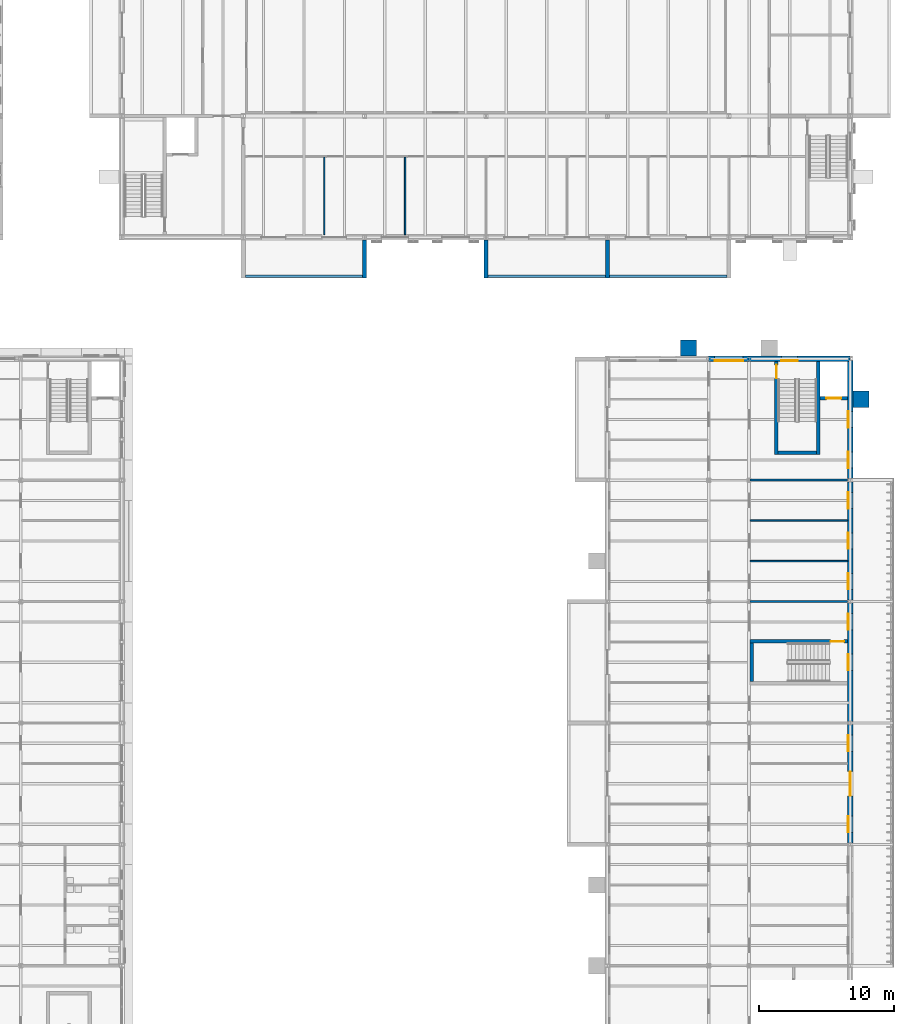
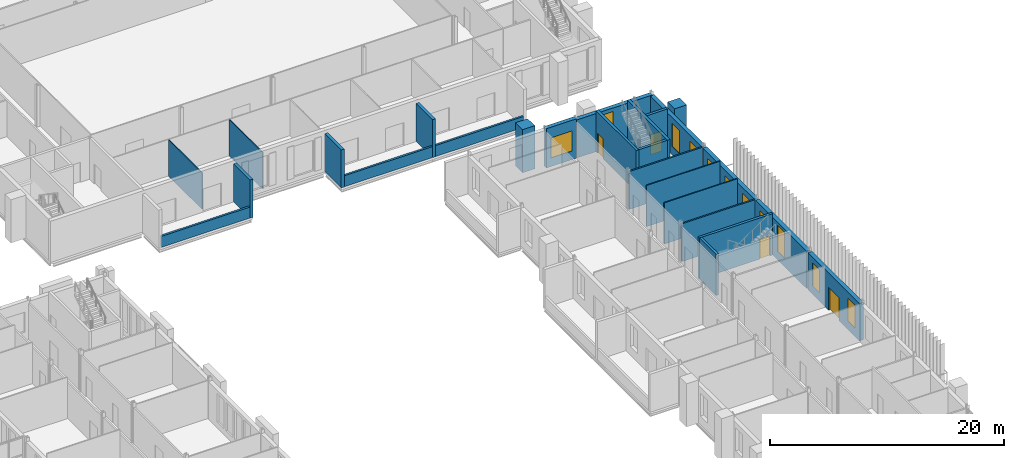
# One storey, part 90 of 134: 26 walls, 11 windows, 4 doors, 15 openings.
"""IFC4 building model written with IfcOpenShell, lengths in metres."""

from ifc_helpers import new_model, si_unit, direction, frame, frame_2d, origin, place, context, subcontext, project, spatial, rectangle, extrude, material, layer, layer_set, type_object, element, fill, save


model = new_model("IFC4")

# Units and contexts
model_context = context("Model", 3, precision=1e-05, world=origin(), true_north=direction((0.0, 1.0)))
body_context = subcontext(model_context, "Body", "Model", "MODEL_VIEW")
ifc_project = project(units=[si_unit("LENGTHUNIT", "METRE"), si_unit("AREAUNIT", "SQUARE_METRE"), si_unit("VOLUMEUNIT", "CUBIC_METRE"), si_unit("PLANEANGLEUNIT", "RADIAN"), si_unit("MASSUNIT", "GRAM", prefix="KILO")], contexts=[model_context])

# Site, building, storey
site_placement = place(None, origin())
site = spatial("IfcSite", under=ifc_project, at=site_placement, CompositionType="ELEMENT")
building_placement = place(site_placement, origin())
building = spatial("IfcBuilding", under=site, at=building_placement, Name="Golden Quay Civic Hall", CompositionType="ELEMENT")
storey_placement = place(building_placement, frame((0.0, 0.0, 5.39990234375)))
storey = spatial("IfcBuildingStorey", under=building, at=storey_placement, Name="L01", CompositionType="ELEMENT", Elevation=5.39990234375)

# Walls
ifc_material_1 = material(Name="Brick, dark clay facing", Category="masonry")
ifc_layer_1 = layer(ifc_material_1, 0.199951171875)
ifc_layer_set_1 = layer_set([ifc_layer_1], Name="Brick balustrade wall 200")
wall_type_1 = type_object("IfcWallType", Name="Brick balustrade wall 200", PredefinedType="STANDARD", material=ifc_layer_set_1)
for number, where, z_axis, x_axis, name in (
    (1, (126.14990234375, 60.1201171875, 0.0), (0.0, 0.0, 1.0), (1.0, 0.0, 0.0), "Brick balustrade wall 200 L01 7"),
    (2, (144.14990234375, 60.1201171875, 0.0), (0.0, 0.0, 1.0), (1.0, 0.0, 0.0), "Brick balustrade wall 200 L01 8"),
    (3, (153.14990234375, 60.1201171875, 0.0), (0.0, 0.0, 1.0), (1.0, 0.0, 0.0), "Brick balustrade wall 200 L01 9"),
):
    element("IfcWall", number, at=place(storey_placement, frame(where, z_axis=z_axis, x_axis=x_axis)), inside=storey, type_object=wall_type_1, Name=name, PredefinedType="STANDARD", context=body_context, shape_type="SweptSolid", body=[
        extrude(rectangle(XDim=8.7001953125, YDim=0.199951171875, at=frame_2d((4.35009765625, 0.0))), origin(), (0.0, 0.0, 1.0), 1.150146484375),
    ])

# Wall, opening, window
ifc_material_2 = material(Name="Brick, dark clay facing", Category="masonry")
ifc_layer_2 = layer(ifc_material_2, 0.39990234375)
ifc_layer_set_2 = layer_set([ifc_layer_2], Name="Brick external wall 400")
wall_type_2 = type_object("IfcWallType", Name="Brick external wall 400", PredefinedType="STANDARD", material=ifc_layer_set_2)
wall_1_placement = place(storey_placement, frame((160.5087890625, 54.0, 0.0), z_axis=(0.0, 0.0, 1.0), x_axis=(1.0, 0.0, 0.0)))
wall_1 = element("IfcWall", 4, at=wall_1_placement, inside=storey, type_object=wall_type_2, Name="Brick external wall 400 L01 19", PredefinedType="STANDARD", context=body_context, shape_type="SweptSolid", body=[
    extrude(rectangle(XDim=2.982421875, YDim=0.39990234375, at=frame_2d((1.4912109375, 0.0))), origin(), (0.0, 0.0, 1.0), 4.10009765625),
])
opening_1_placement = place(wall_1_placement, frame((0.441162109375, 0.0, 0.89990234375)))
opening_1 = element("IfcOpeningElement", 5, at=opening_1_placement, cuts=wall_1, Name="Opening WN2", PredefinedType="OPENING", context=body_context, shape_type="SweptSolid", body=[
    extrude(rectangle(XDim=2.10009765625, YDim=2.10009765625, at=frame_2d((1.050048828125, 1.050048828125))), frame((0.0, 0.2099609375, 0.0), z_axis=(0.0, -1.0, 0.0), x_axis=(1.0, 0.0, 0.0)), (0.0, 0.0, 1.0), 0.419921875),
])
ifc_material_3 = material(Name="Aluminium frame, double glazed", Category="aluminium")
window_type_1 = type_object("IfcWindowType", Name="Corridor end window 2100 x 2100", PartitioningType="SINGLE_PANEL", PredefinedType="WINDOW", material=ifc_material_3)
window_1_placement = place(opening_1_placement, origin())
window_1 = element("IfcWindow", 6, at=window_1_placement, inside=storey, type_object=window_type_1, Name="Corridor end window 2100 x 2100 L01 3", OverallHeight=2.10009765625, OverallWidth=2.10009765625, PartitioningType="SINGLE_PANEL", PredefinedType="WINDOW", context=body_context, shape_type="SweptSolid", body=[
    extrude(rectangle(XDim=2.10009765625, YDim=2.10009765625, at=frame_2d((1.050048828125, 1.050048828125))), frame((0.0, -0.119873046875, 0.0), z_axis=(0.0, -1.0, 0.0), x_axis=(1.0, 0.0, 0.0)), (0.0, 0.0, 1.0), 0.06005859375),
])
fill(opening_1, window_1)

# Wall, openings, door, windows
wall_2_placement = place(storey_placement, frame((171.0, 26.885009765625, 0.0), z_axis=(0.0, 0.0, 1.0), x_axis=(0.0, -1.0, 0.0)))
wall_2 = element("IfcWall", 7, at=wall_2_placement, inside=storey, type_object=wall_type_2, Name="Brick external wall 400 L01 22", PredefinedType="STANDARD", context=body_context, shape_type="SweptSolid", body=[
    extrude(rectangle(XDim=8.77001953125, YDim=0.39990234375, at=frame_2d((4.385009765625, 0.0))), origin(), (0.0, 0.0, 1.0), 3.900146484375),
])
opening_2_placement = place(wall_2_placement, frame((3.485107421875, 0.0, 0.0)))
opening_2 = element("IfcOpeningElement", 8, at=opening_2_placement, cuts=wall_2, Name="Opening L01-D011", PredefinedType="OPENING", context=body_context, shape_type="SweptSolid", body=[
    extrude(rectangle(XDim=1.800048828125, YDim=2.39990234375, at=frame_2d((0.89990234375, 1.199951171875))), frame((0.0, 0.2099609375, 0.0), z_axis=(0.0, -1.0, 0.0), x_axis=(1.0, 0.0, 0.0)), (0.0, 0.0, 1.0), 0.419921875),
])
opening_3_placement = place(wall_2_placement, frame((6.784912109375, 0.0, 0.89990234375)))
opening_3 = element("IfcOpeningElement", 9, at=opening_3_placement, cuts=wall_2, Name="Opening WN7", PredefinedType="OPENING", context=body_context, shape_type="SweptSolid", body=[
    extrude(rectangle(XDim=1.199951171875, YDim=2.39990234375, at=frame_2d((0.60009765625, 1.199951171875))), frame((0.0, 0.2099609375, 0.0), z_axis=(0.0, -1.0, 0.0), x_axis=(1.0, 0.0, 0.0)), (0.0, 0.0, 1.0), 0.419921875),
])
opening_4_placement = place(wall_2_placement, frame((0.784912109375, 0.0, 0.89990234375)))
opening_4 = element("IfcOpeningElement", 10, at=opening_4_placement, cuts=wall_2, Name="Opening WN7", PredefinedType="OPENING", context=body_context, shape_type="SweptSolid", body=[
    extrude(rectangle(XDim=1.199951171875, YDim=2.39990234375, at=frame_2d((0.60009765625, 1.199951171875))), frame((0.0, 0.2099609375, 0.0), z_axis=(0.0, -1.0, 0.0), x_axis=(1.0, 0.0, 0.0)), (0.0, 0.0, 1.0), 0.419921875),
])
ifc_material_4 = material(Name="Aluminium frame, glazed", Category="aluminium")
door_type_1 = type_object("IfcDoorType", Name="Glazed double terrace door 1800 x 2400", OperationType="DOUBLE_DOOR_SINGLE_SWING", PredefinedType="DOOR", material=ifc_material_4)
door_1_placement = place(opening_2_placement, origin())
door_1 = element("IfcDoor", 11, at=door_1_placement, inside=storey, type_object=door_type_1, Name="Door L01-D011", OperationType="DOUBLE_DOOR_SINGLE_SWING", OverallHeight=2.39990234375, OverallWidth=1.800048828125, PredefinedType="DOOR", context=body_context, shape_type="SweptSolid", body=[
    extrude(rectangle(XDim=1.800048828125, YDim=2.39990234375, at=frame_2d((0.89990234375, 1.199951171875))), frame((0.0, 0.02490234375, 0.0), z_axis=(0.0, -1.0, 0.0), x_axis=(1.0, 0.0, 0.0)), (0.0, 0.0, 1.0), 0.050048828125),
])
fill(opening_2, door_1)
ifc_material_5 = material(Name="Aluminium frame, double glazed", Category="aluminium")
window_type_2 = type_object("IfcWindowType", Name="Window 1200 x 2400", PartitioningType="SINGLE_PANEL", PredefinedType="WINDOW", material=ifc_material_5)
window_2_placement = place(opening_3_placement, origin())
window_2 = element("IfcWindow", 12, at=window_2_placement, inside=storey, type_object=window_type_2, Name="Window 1200 x 2400 L01 44", OverallHeight=2.39990234375, OverallWidth=1.199951171875, PartitioningType="SINGLE_PANEL", PredefinedType="WINDOW", context=body_context, shape_type="SweptSolid", body=[
    extrude(rectangle(XDim=1.199951171875, YDim=2.39990234375, at=frame_2d((0.60009765625, 1.199951171875))), frame((0.0, -0.119873046875, 0.0), z_axis=(0.0, -1.0, 0.0), x_axis=(1.0, 0.0, 0.0)), (0.0, 0.0, 1.0), 0.06005859375),
])
fill(opening_3, window_2)
window_3_placement = place(opening_4_placement, origin())
window_3 = element("IfcWindow", 13, at=window_3_placement, inside=storey, type_object=window_type_2, Name="Window 1200 x 2400 L01 45", OverallHeight=2.39990234375, OverallWidth=1.199951171875, PartitioningType="SINGLE_PANEL", PredefinedType="WINDOW", context=body_context, shape_type="SweptSolid", body=[
    extrude(rectangle(XDim=1.199951171875, YDim=2.39990234375, at=frame_2d((0.60009765625, 1.199951171875))), frame((0.0, -0.119873046875, 0.0), z_axis=(0.0, -1.0, 0.0), x_axis=(1.0, 0.0, 0.0)), (0.0, 0.0, 1.0), 0.06005859375),
])
fill(opening_4, window_3)

# Wall, openings, windows
wall_3_placement = place(storey_placement, frame((171.0, 44.885009765625, 0.0), z_axis=(0.0, 0.0, 1.0), x_axis=(0.0, -1.0, 0.0)))
wall_3 = element("IfcWall", 14, at=wall_3_placement, inside=storey, type_object=wall_type_2, Name="Brick external wall 400 L01 23", PredefinedType="STANDARD", context=body_context, shape_type="SweptSolid", body=[
    extrude(rectangle(XDim=8.77001953125, YDim=0.39990234375, at=frame_2d((4.385009765625, 0.0))), origin(), (0.0, 0.0, 1.0), 3.900146484375),
])
opening_5_placement = place(wall_3_placement, frame((6.784912109375, 0.0, 0.89990234375)))
opening_5 = element("IfcOpeningElement", 15, at=opening_5_placement, cuts=wall_3, Name="Opening WN7", PredefinedType="OPENING", context=body_context, shape_type="SweptSolid", body=[
    extrude(rectangle(XDim=1.199951171875, YDim=2.39990234375, at=frame_2d((0.60009765625, 1.199951171875))), frame((0.0, 0.2099609375, 0.0), z_axis=(0.0, -1.0, 0.0), x_axis=(1.0, 0.0, 0.0)), (0.0, 0.0, 1.0), 0.419921875),
])
opening_6_placement = place(wall_3_placement, frame((3.784912109375, 0.0, 0.89990234375)))
opening_6 = element("IfcOpeningElement", 16, at=opening_6_placement, cuts=wall_3, Name="Opening WN7", PredefinedType="OPENING", context=body_context, shape_type="SweptSolid", body=[
    extrude(rectangle(XDim=1.199951171875, YDim=2.39990234375, at=frame_2d((0.60009765625, 1.199951171875))), frame((0.0, 0.2099609375, 0.0), z_axis=(0.0, -1.0, 0.0), x_axis=(1.0, 0.0, 0.0)), (0.0, 0.0, 1.0), 0.419921875),
])
opening_7_placement = place(wall_3_placement, frame((0.784912109375, 0.0, 0.89990234375)))
opening_7 = element("IfcOpeningElement", 17, at=opening_7_placement, cuts=wall_3, Name="Opening WN7", PredefinedType="OPENING", context=body_context, shape_type="SweptSolid", body=[
    extrude(rectangle(XDim=1.199951171875, YDim=2.39990234375, at=frame_2d((0.60009765625, 1.199951171875))), frame((0.0, 0.2099609375, 0.0), z_axis=(0.0, -1.0, 0.0), x_axis=(1.0, 0.0, 0.0)), (0.0, 0.0, 1.0), 0.419921875),
])
window_4_placement = place(opening_5_placement, origin())
window_4 = element("IfcWindow", 18, at=window_4_placement, inside=storey, type_object=window_type_2, Name="Window 1200 x 2400 L01 47", OverallHeight=2.39990234375, OverallWidth=1.199951171875, PartitioningType="SINGLE_PANEL", PredefinedType="WINDOW", context=body_context, shape_type="SweptSolid", body=[
    extrude(rectangle(XDim=1.199951171875, YDim=2.39990234375, at=frame_2d((0.60009765625, 1.199951171875))), frame((0.0, -0.119873046875, 0.0), z_axis=(0.0, -1.0, 0.0), x_axis=(1.0, 0.0, 0.0)), (0.0, 0.0, 1.0), 0.06005859375),
])
fill(opening_5, window_4)
window_5_placement = place(opening_6_placement, origin())
window_5 = element("IfcWindow", 19, at=window_5_placement, inside=storey, type_object=window_type_2, Name="Window 1200 x 2400 L01 48", OverallHeight=2.39990234375, OverallWidth=1.199951171875, PartitioningType="SINGLE_PANEL", PredefinedType="WINDOW", context=body_context, shape_type="SweptSolid", body=[
    extrude(rectangle(XDim=1.199951171875, YDim=2.39990234375, at=frame_2d((0.60009765625, 1.199951171875))), frame((0.0, -0.119873046875, 0.0), z_axis=(0.0, -1.0, 0.0), x_axis=(1.0, 0.0, 0.0)), (0.0, 0.0, 1.0), 0.06005859375),
])
fill(opening_6, window_5)
window_6_placement = place(opening_7_placement, origin())
window_6 = element("IfcWindow", 20, at=window_6_placement, inside=storey, type_object=window_type_2, Name="Window 1200 x 2400 L01 49", OverallHeight=2.39990234375, OverallWidth=1.199951171875, PartitioningType="SINGLE_PANEL", PredefinedType="WINDOW", context=body_context, shape_type="SweptSolid", body=[
    extrude(rectangle(XDim=1.199951171875, YDim=2.39990234375, at=frame_2d((0.60009765625, 1.199951171875))), frame((0.0, -0.119873046875, 0.0), z_axis=(0.0, -1.0, 0.0), x_axis=(1.0, 0.0, 0.0)), (0.0, 0.0, 1.0), 0.06005859375),
])
fill(opening_7, window_6)

# Wall, opening, window
ifc_material_6 = material(Name="Brick, dark clay facing", Category="masonry")
ifc_layer_3 = layer(ifc_material_6, 0.39990234375)
ifc_layer_set_3 = layer_set([ifc_layer_3], Name="Brick external wall 400 fire EI 60")
wall_type_3 = type_object("IfcWallType", Name="Brick external wall 400 fire EI 60", PredefinedType="STANDARD", material=ifc_layer_set_3)
wall_4_placement = place(storey_placement, frame((163.5087890625, 54.0, 0.0), z_axis=(0.0, 0.0, 1.0), x_axis=(1.0, 0.0, 0.0)))
wall_4 = element("IfcWall", 21, at=wall_4_placement, inside=storey, type_object=wall_type_3, Name="Brick external wall 400 fire EI 60 L01 2", PredefinedType="STANDARD", context=body_context, shape_type="SweptSolid", body=[
    extrude(rectangle(XDim=7.482421875, YDim=0.39990234375, at=frame_2d((3.7412109375, 0.0))), origin(), (0.0, 0.0, 1.0), 3.97021484375),
])
opening_8_placement = place(wall_4_placement, frame((2.391357421875, 0.0, 0.89990234375)))
opening_8 = element("IfcOpeningElement", 22, at=opening_8_placement, cuts=wall_4, Name="Opening WN13", PredefinedType="OPENING", context=body_context, shape_type="SweptSolid", body=[
    extrude(rectangle(XDim=1.199951171875, YDim=2.699951171875, at=frame_2d((0.60009765625, 1.35009765625))), frame((0.0, 0.2099609375, 0.0), z_axis=(0.0, -1.0, 0.0), x_axis=(1.0, 0.0, 0.0)), (0.0, 0.0, 1.0), 0.419921875),
])
ifc_material_7 = material(Name="Aluminium frame, double glazed", Category="aluminium")
window_type_3 = type_object("IfcWindowType", Name="Stair light window 1200 x 2700", PartitioningType="SINGLE_PANEL", PredefinedType="WINDOW", material=ifc_material_7)
window_7_placement = place(opening_8_placement, origin())
window_7 = element("IfcWindow", 23, at=window_7_placement, inside=storey, type_object=window_type_3, Name="Stair light window 1200 x 2700 L01 2", OverallHeight=2.699951171875, OverallWidth=1.199951171875, PartitioningType="SINGLE_PANEL", PredefinedType="WINDOW", context=body_context, shape_type="SweptSolid", body=[
    extrude(rectangle(XDim=1.199951171875, YDim=2.699951171875, at=frame_2d((0.60009765625, 1.35009765625))), frame((0.0, -0.119873046875, 0.0), z_axis=(0.0, -1.0, 0.0), x_axis=(1.0, 0.0, 0.0)), (0.0, 0.0, 1.0), 0.06005859375),
])
fill(opening_8, window_7)

# Wall, openings, windows
wall_5_placement = place(storey_placement, frame((171.0, 35.885009765625, 0.0), z_axis=(0.0, 0.0, 1.0), x_axis=(0.0, -1.0, 0.0)))
wall_5 = element("IfcWall", 24, at=wall_5_placement, inside=storey, type_object=wall_type_3, Name="Brick external wall 400 fire EI 60 L01 3", PredefinedType="STANDARD", context=body_context, shape_type="SweptSolid", body=[
    extrude(rectangle(XDim=8.77001953125, YDim=0.39990234375, at=frame_2d((4.385009765625, 0.0))), origin(), (0.0, 0.0, 1.0), 3.900146484375),
])
opening_9_placement = place(wall_5_placement, frame((3.784912109375, 0.0, 0.89990234375)))
opening_9 = element("IfcOpeningElement", 25, at=opening_9_placement, cuts=wall_5, Name="Opening WN13", PredefinedType="OPENING", context=body_context, shape_type="SweptSolid", body=[
    extrude(rectangle(XDim=1.199951171875, YDim=2.699951171875, at=frame_2d((0.60009765625, 1.35009765625))), frame((0.0, 0.2099609375, 0.0), z_axis=(0.0, -1.0, 0.0), x_axis=(1.0, 0.0, 0.0)), (0.0, 0.0, 1.0), 0.419921875),
])
opening_10_placement = place(wall_5_placement, frame((0.784912109375, 0.0, 0.89990234375)))
opening_10 = element("IfcOpeningElement", 26, at=opening_10_placement, cuts=wall_5, Name="Opening WN7", PredefinedType="OPENING", context=body_context, shape_type="SweptSolid", body=[
    extrude(rectangle(XDim=1.199951171875, YDim=2.39990234375, at=frame_2d((0.60009765625, 1.199951171875))), frame((0.0, 0.2099609375, 0.0), z_axis=(0.0, -1.0, 0.0), x_axis=(1.0, 0.0, 0.0)), (0.0, 0.0, 1.0), 0.419921875),
])
window_8_placement = place(opening_9_placement, origin())
window_8 = element("IfcWindow", 27, at=window_8_placement, inside=storey, type_object=window_type_3, Name="Stair light window 1200 x 2700 L01 3", OverallHeight=2.699951171875, OverallWidth=1.199951171875, PartitioningType="SINGLE_PANEL", PredefinedType="WINDOW", context=body_context, shape_type="SweptSolid", body=[
    extrude(rectangle(XDim=1.199951171875, YDim=2.699951171875, at=frame_2d((0.60009765625, 1.35009765625))), frame((0.0, -0.119873046875, 0.0), z_axis=(0.0, -1.0, 0.0), x_axis=(1.0, 0.0, 0.0)), (0.0, 0.0, 1.0), 0.06005859375),
])
fill(opening_9, window_8)
window_9_placement = place(opening_10_placement, origin())
window_9 = element("IfcWindow", 28, at=window_9_placement, inside=storey, type_object=window_type_2, Name="Window 1200 x 2400 L01 46", OverallHeight=2.39990234375, OverallWidth=1.199951171875, PartitioningType="SINGLE_PANEL", PredefinedType="WINDOW", context=body_context, shape_type="SweptSolid", body=[
    extrude(rectangle(XDim=1.199951171875, YDim=2.39990234375, at=frame_2d((0.60009765625, 1.199951171875))), frame((0.0, -0.119873046875, 0.0), z_axis=(0.0, -1.0, 0.0), x_axis=(1.0, 0.0, 0.0)), (0.0, 0.0, 1.0), 0.06005859375),
])
fill(opening_10, window_9)

wall_6_placement = place(storey_placement, frame((171.0, 53.885009765625, 0.0), z_axis=(0.0, 0.0, 1.0), x_axis=(0.0, -1.0, 0.0)))
wall_6 = element("IfcWall", 29, at=wall_6_placement, inside=storey, type_object=wall_type_3, Name="Brick external wall 400 fire EI 60 L01 4", PredefinedType="STANDARD", context=body_context, shape_type="SweptSolid", body=[
    extrude(rectangle(XDim=8.77001953125, YDim=0.39990234375, at=frame_2d((4.385009765625, 0.0))), origin(), (0.0, 0.0, 1.0), 3.900146484375),
])
opening_11_placement = place(wall_6_placement, frame((6.784912109375, 0.0, 0.89990234375)))
opening_11 = element("IfcOpeningElement", 30, at=opening_11_placement, cuts=wall_6, Name="Opening WN7", PredefinedType="OPENING", context=body_context, shape_type="SweptSolid", body=[
    extrude(rectangle(XDim=1.199951171875, YDim=2.39990234375, at=frame_2d((0.60009765625, 1.199951171875))), frame((0.0, 0.2099609375, 0.0), z_axis=(0.0, -1.0, 0.0), x_axis=(1.0, 0.0, 0.0)), (0.0, 0.0, 1.0), 0.419921875),
])
opening_12_placement = place(wall_6_placement, frame((3.784912109375, 0.0, 0.89990234375)))
opening_12 = element("IfcOpeningElement", 31, at=opening_12_placement, cuts=wall_6, Name="Opening WN7", PredefinedType="OPENING", context=body_context, shape_type="SweptSolid", body=[
    extrude(rectangle(XDim=1.199951171875, YDim=2.39990234375, at=frame_2d((0.60009765625, 1.199951171875))), frame((0.0, 0.2099609375, 0.0), z_axis=(0.0, -1.0, 0.0), x_axis=(1.0, 0.0, 0.0)), (0.0, 0.0, 1.0), 0.419921875),
])
window_10_placement = place(opening_11_placement, origin())
window_10 = element("IfcWindow", 32, at=window_10_placement, inside=storey, type_object=window_type_2, Name="Window 1200 x 2400 L01 50", OverallHeight=2.39990234375, OverallWidth=1.199951171875, PartitioningType="SINGLE_PANEL", PredefinedType="WINDOW", context=body_context, shape_type="SweptSolid", body=[
    extrude(rectangle(XDim=1.199951171875, YDim=2.39990234375, at=frame_2d((0.60009765625, 1.199951171875))), frame((0.0, -0.119873046875, 0.0), z_axis=(0.0, -1.0, 0.0), x_axis=(1.0, 0.0, 0.0)), (0.0, 0.0, 1.0), 0.06005859375),
])
fill(opening_11, window_10)
window_11_placement = place(opening_12_placement, origin())
window_11 = element("IfcWindow", 33, at=window_11_placement, inside=storey, type_object=window_type_2, Name="Window 1200 x 2400 L01 51", OverallHeight=2.39990234375, OverallWidth=1.199951171875, PartitioningType="SINGLE_PANEL", PredefinedType="WINDOW", context=body_context, shape_type="SweptSolid", body=[
    extrude(rectangle(XDim=1.199951171875, YDim=2.39990234375, at=frame_2d((0.60009765625, 1.199951171875))), frame((0.0, -0.119873046875, 0.0), z_axis=(0.0, -1.0, 0.0), x_axis=(1.0, 0.0, 0.0)), (0.0, 0.0, 1.0), 0.06005859375),
])
fill(opening_12, window_11)

# Walls
ifc_material_8 = material(Name="Brick, dark clay facing", Category="masonry")
ifc_layer_4 = layer(ifc_material_8, 0.300048828125)
ifc_layer_set_4 = layer_set([ifc_layer_4], Name="Brick loggia wall 300")
wall_type_4 = type_object("IfcWallType", Name="Brick loggia wall 300", PredefinedType="STANDARD", material=ifc_layer_set_4)
for number, where, z_axis, x_axis, name in (
    (34, (135.0, 62.820068359375, 0.0), (0.0, 0.0, 1.0), (0.0, -1.0, 0.0), "Brick loggia wall 300 L01 12"),
    (35, (144.0, 62.820068359375, 0.0), (0.0, 0.0, 1.0), (0.0, -1.0, 0.0), "Brick loggia wall 300 L01 13"),
    (36, (153.0, 62.820068359375, 0.0), (0.0, 0.0, 1.0), (0.0, -1.0, 0.0), "Brick loggia wall 300 L01 14"),
):
    element("IfcWall", number, at=place(storey_placement, frame(where, z_axis=z_axis, x_axis=x_axis)), inside=storey, type_object=wall_type_4, Name=name, PredefinedType="STANDARD", context=body_context, shape_type="SweptSolid", body=[
        extrude(rectangle(XDim=2.820068359375, YDim=0.300048828125, at=frame_2d((1.41015625, 0.0))), origin(), (0.0, 0.0, 1.0), 3.97021484375),
    ])
ifc_material_9 = material(Name="Brick, dark clay facing", Category="masonry")
ifc_layer_5 = layer(ifc_material_9, 1.199951171875)
ifc_layer_set_5 = layer_set([ifc_layer_5], Name="Brick pilaster 1200 x 1200")
wall_type_5 = type_object("IfcWallType", Name="Brick pilaster 1200 x 1200", PredefinedType="STANDARD", material=ifc_layer_set_5)
for number, where, z_axis, x_axis, name in (
    (37, (158.39990234375, 54.800048828125, 0.0), (0.0, 0.0, 1.0), (1.0, 0.0, 0.0), "Brick pilaster 1200 x 1200 L01 10"),
    (38, (171.800048828125, 50.39990234375, 0.0), (0.0, 0.0, 1.0), (0.0, 1.0, 0.0), "Brick pilaster 1200 x 1200 L01 13"),
):
    element("IfcWall", number, at=place(storey_placement, frame(where, z_axis=z_axis, x_axis=x_axis)), inside=storey, type_object=wall_type_5, Name=name, PredefinedType="STANDARD", context=body_context, shape_type="SweptSolid", body=[
        extrude(rectangle(XDim=1.2001953125, YDim=1.199951171875, at=frame_2d((0.60009765625, 0.0))), origin(), (0.0, 0.0, 1.0), 4.5),
    ])
ifc_material_10 = material(Name="Concrete C40/50", Category="concrete")
ifc_layer_6 = layer(ifc_material_10, 0.25)
ifc_layer_set_6 = layer_set([ifc_layer_6], Name="Concrete core wall 250, Concrete C40/50")
wall_type_6 = type_object("IfcWallType", Name="Concrete core wall 250", PredefinedType="SHEAR", material=ifc_layer_set_6)
wall_7_placement = place(storey_placement, frame((168.625, 46.89990234375, 0.0), z_axis=(0.0, 0.0, 1.0), x_axis=(0.0, 1.0, 0.0)))
element("IfcWall", 39, at=wall_7_placement, inside=storey, type_object=wall_type_6, Name="Core wall EO-N-W1", PredefinedType="SHEAR", context=body_context, shape_type="SweptSolid", body=[
    extrude(rectangle(XDim=6.900146484375, YDim=0.25, at=frame_2d((3.4501953125, 0.0))), origin(), (0.0, 0.0, 1.0), 4.300048828125),
])

# Wall, opening, door
wall_8_placement = place(storey_placement, frame((165.52490234375, 46.89990234375, 0.0), z_axis=(0.0, 0.0, 1.0), x_axis=(0.0, 1.0, 0.0)))
wall_8 = element("IfcWall", 40, at=wall_8_placement, inside=storey, type_object=wall_type_6, Name="Core wall EO-N-W2", PredefinedType="SHEAR", context=body_context, shape_type="SweptSolid", body=[
    extrude(rectangle(XDim=6.900146484375, YDim=0.25, at=frame_2d((3.4501953125, 0.0))), origin(), (0.0, 0.0, 1.0), 4.300048828125),
])
opening_13_placement = place(wall_8_placement, frame((5.64990234375, 0.0, 0.0)))
opening_13 = element("IfcOpeningElement", 41, at=opening_13_placement, cuts=wall_8, Name="Opening L01-D157", PredefinedType="OPENING", context=body_context, shape_type="SweptSolid", body=[
    extrude(rectangle(XDim=1.0, YDim=2.10009765625, at=frame_2d((0.5, 1.050048828125))), frame((0.0, 0.135009765625, 0.0), z_axis=(0.0, -1.0, 0.0), x_axis=(1.0, 0.0, 0.0)), (0.0, 0.0, 1.0), 0.27001953125),
])
ifc_material_11 = material(Name="Steel", Category="steel")
door_type_2 = type_object("IfcDoorType", Name="Steel fire door FD60 1000 x 2100", OperationType="SINGLE_SWING_LEFT", PredefinedType="DOOR", material=ifc_material_11)
door_2_placement = place(opening_13_placement, frame((1.0, 0.0, 0.0), z_axis=(0.0, 0.0, 1.0), x_axis=(-1.0, 0.0, 0.0)))
door_2 = element("IfcDoor", 42, at=door_2_placement, inside=storey, type_object=door_type_2, Name="Door L01-D157", OperationType="SINGLE_SWING_RIGHT", OverallHeight=2.10009765625, OverallWidth=1.0, PredefinedType="DOOR", context=body_context, shape_type="SweptSolid", body=[
    extrude(rectangle(XDim=1.0, YDim=2.10009765625, at=frame_2d((0.5, 1.050048828125))), frame((0.0, 0.025146484375, 0.0), z_axis=(0.0, -1.0, 0.0), x_axis=(1.0, 0.0, 0.0)), (0.0, 0.0, 1.0), 0.050048828125),
])
fill(opening_13, door_2)

# Wall
wall_9_placement = place(storey_placement, frame((165.64990234375, 47.02490234375, 0.0), z_axis=(0.0, 0.0, 1.0), x_axis=(1.0, 0.0, 0.0)))
element("IfcWall", 43, at=wall_9_placement, inside=storey, type_object=wall_type_6, Name="Core wall EO-N-W3", PredefinedType="SHEAR", context=body_context, shape_type="SweptSolid", body=[
    extrude(rectangle(XDim=2.85009765625, YDim=0.25, at=frame_2d((1.425048828125, 0.0))), origin(), (0.0, 0.0, 1.0), 4.300048828125),
])

# Wall, opening, door
wall_10_placement = place(storey_placement, frame((168.75, 51.074951171875, 0.0), z_axis=(0.0, 0.0, 1.0), x_axis=(1.0, 0.0, 0.0)))
wall_10 = element("IfcWall", 44, at=wall_10_placement, inside=storey, type_object=wall_type_6, Name="Core wall EO-N-W4", PredefinedType="SHEAR", context=body_context, shape_type="SweptSolid", body=[
    extrude(rectangle(XDim=2.050048828125, YDim=0.25, at=frame_2d((1.02490234375, 0.0))), origin(), (0.0, 0.0, 1.0), 4.300048828125),
])
opening_14_placement = place(wall_10_placement, frame((0.47509765625, 0.0, 0.0)))
opening_14 = element("IfcOpeningElement", 45, at=opening_14_placement, cuts=wall_10, Name="Opening L01-D163", PredefinedType="OPENING", context=body_context, shape_type="SweptSolid", body=[
    extrude(rectangle(XDim=1.10009765625, YDim=2.10009765625, at=frame_2d((0.550048828125, 1.050048828125))), frame((0.0, 0.135009765625, 0.0), z_axis=(0.0, -1.0, 0.0), x_axis=(1.0, 0.0, 0.0)), (0.0, 0.0, 1.0), 0.27001953125),
])
ifc_material_12 = material(Name="Steel", Category="steel")
door_type_3 = type_object("IfcDoorType", Name="Lift landing door 1100 x 2100", OperationType="SLIDING_TO_LEFT", PredefinedType="DOOR", material=ifc_material_12)
door_3_placement = place(opening_14_placement, origin())
door_3 = element("IfcDoor", 46, at=door_3_placement, inside=storey, type_object=door_type_3, Name="Lift landing door L01-D163 EO-N", OperationType="SLIDING_TO_LEFT", OverallHeight=2.10009765625, OverallWidth=1.10009765625, PredefinedType="DOOR", context=body_context, shape_type="SweptSolid", body=[
    extrude(rectangle(XDim=1.10009765625, YDim=2.10009765625, at=frame_2d((0.550048828125, 1.050048828125))), frame((0.0, 0.02490234375, 0.0), z_axis=(0.0, -1.0, 0.0), x_axis=(1.0, 0.0, 0.0)), (0.0, 0.0, 1.0), 0.050048828125),
])
fill(opening_14, door_3)

wall_11_placement = place(storey_placement, frame((163.574951171875, 33.050048828125, 0.0), z_axis=(0.0, 0.0, 1.0), x_axis=(1.0, 0.0, 0.0)))
wall_11 = element("IfcWall", 47, at=wall_11_placement, inside=storey, type_object=wall_type_6, Name="Core wall EO-M-W1", PredefinedType="SHEAR", context=body_context, shape_type="SweptSolid", body=[
    extrude(rectangle(XDim=7.22509765625, YDim=0.25, at=frame_2d((3.612548828125, 0.0))), origin(), (0.0, 0.0, 1.0), 4.300048828125),
])
opening_15_placement = place(wall_11_placement, frame((5.97509765625, 0.0, 0.0)))
opening_15 = element("IfcOpeningElement", 48, at=opening_15_placement, cuts=wall_11, Name="Opening L01-D160", PredefinedType="OPENING", context=body_context, shape_type="SweptSolid", body=[
    extrude(rectangle(XDim=1.0, YDim=2.10009765625, at=frame_2d((0.5, 1.050048828125))), frame((0.0, 0.135009765625, 0.0), z_axis=(0.0, -1.0, 0.0), x_axis=(1.0, 0.0, 0.0)), (0.0, 0.0, 1.0), 0.27001953125),
])
door_4_placement = place(opening_15_placement, frame((1.0, 0.0, 0.0), z_axis=(0.0, 0.0, 1.0), x_axis=(-1.0, 0.0, 0.0)))
door_4 = element("IfcDoor", 49, at=door_4_placement, inside=storey, type_object=door_type_2, Name="Door L01-D160", OperationType="SINGLE_SWING_RIGHT", OverallHeight=2.10009765625, OverallWidth=1.0, PredefinedType="DOOR", context=body_context, shape_type="SweptSolid", body=[
    extrude(rectangle(XDim=1.0, YDim=2.10009765625, at=frame_2d((0.5, 1.050048828125))), frame((0.0, 0.025146484375, 0.0), z_axis=(0.0, -1.0, 0.0), x_axis=(1.0, 0.0, 0.0)), (0.0, 0.0, 1.0), 0.050048828125),
])
fill(opening_15, door_4)

# Walls
wall_12_placement = place(storey_placement, frame((163.699951171875, 30.074951171875, 0.0), z_axis=(0.0, 0.0, 1.0), x_axis=(0.0, 1.0, 0.0)))
element("IfcWall", 50, at=wall_12_placement, inside=storey, type_object=wall_type_6, Name="Core wall EO-M-W3", PredefinedType="SHEAR", context=body_context, shape_type="SweptSolid", body=[
    extrude(rectangle(XDim=2.85009765625, YDim=0.25, at=frame_2d((1.425048828125, 0.0))), origin(), (0.0, 0.0, 1.0), 4.300048828125),
])
ifc_material_13 = material(Name="Plasterboard on steel studs", Category="steel")
ifc_layer_7 = layer(ifc_material_13, 0.10009765625)
ifc_layer_set_7 = layer_set([ifc_layer_7], Name="Partition 100 stud")
wall_type_7 = type_object("IfcWallType", Name="Partition 100 stud", PredefinedType="PARTITIONING", material=ifc_layer_set_7)
for number, where, z_axis, x_axis, name in (
    (51, (163.574951171875, 39.0, 0.0), (0.0, 0.0, 1.0), (1.0, 0.0, 0.0), "Partition L01-006"),
    (52, (163.574951171875, 42.0, 0.0), (0.0, 0.0, 1.0), (1.0, 0.0, 0.0), "Partition L01-007"),
):
    element("IfcWall", number, at=place(storey_placement, frame(where, z_axis=z_axis, x_axis=x_axis)), inside=storey, type_object=wall_type_7, Name=name, PredefinedType="PARTITIONING", context=body_context, shape_type="SweptSolid", body=[
        extrude(rectangle(XDim=7.22509765625, YDim=0.10009765625, at=frame_2d((3.612548828125, 0.0))), origin(), (0.0, 0.0, 1.0), 4.300048828125),
    ])
for number, where, z_axis, x_axis, name in (
    (53, (132.0, 63.199951171875, 0.0), (0.0, 0.0, 1.0), (0.0, 1.0, 0.0), "L01 partition V15-0.20"),
    (54, (138.0, 63.199951171875, 0.0), (0.0, 0.0, 1.0), (0.0, 1.0, 0.0), "L01 partition V21-0.20"),
):
    element("IfcWall", number, at=place(storey_placement, frame(where, z_axis=z_axis, x_axis=x_axis)), inside=storey, type_object=wall_type_7, Name=name, PredefinedType="PARTITIONING", context=body_context, shape_type="SweptSolid", body=[
        extrude(rectangle(XDim=5.75, YDim=0.10009765625, at=frame_2d((2.875, 0.0))), origin(), (0.0, 0.0, 1.0), 3.780029296875),
    ])
ifc_material_14 = material(Name="Plasterboard on steel studs", Category="steel")
ifc_layer_8 = layer(ifc_material_14, 0.14990234375)
ifc_layer_set_8 = layer_set([ifc_layer_8], Name="Partition 150 stud fire EI 60")
wall_type_8 = type_object("IfcWallType", Name="Partition 150 stud fire EI 60", PredefinedType="PARTITIONING", material=ifc_layer_set_8)
for number, where, z_axis, x_axis, name in (
    (55, (163.574951171875, 36.0, 0.0), (0.0, 0.0, 1.0), (1.0, 0.0, 0.0), "Partition L01-005"),
    (56, (163.574951171875, 45.0, 0.0), (0.0, 0.0, 1.0), (1.0, 0.0, 0.0), "Partition L01-008"),
):
    element("IfcWall", number, at=place(storey_placement, frame(where, z_axis=z_axis, x_axis=x_axis)), inside=storey, type_object=wall_type_8, Name=name, PredefinedType="PARTITIONING", context=body_context, shape_type="SweptSolid", body=[
        extrude(rectangle(XDim=7.22509765625, YDim=0.14990234375, at=frame_2d((3.612548828125, 0.0))), origin(), (0.0, 0.0, 1.0), 3.9501953125),
    ])

save(model, "model.ifc")
